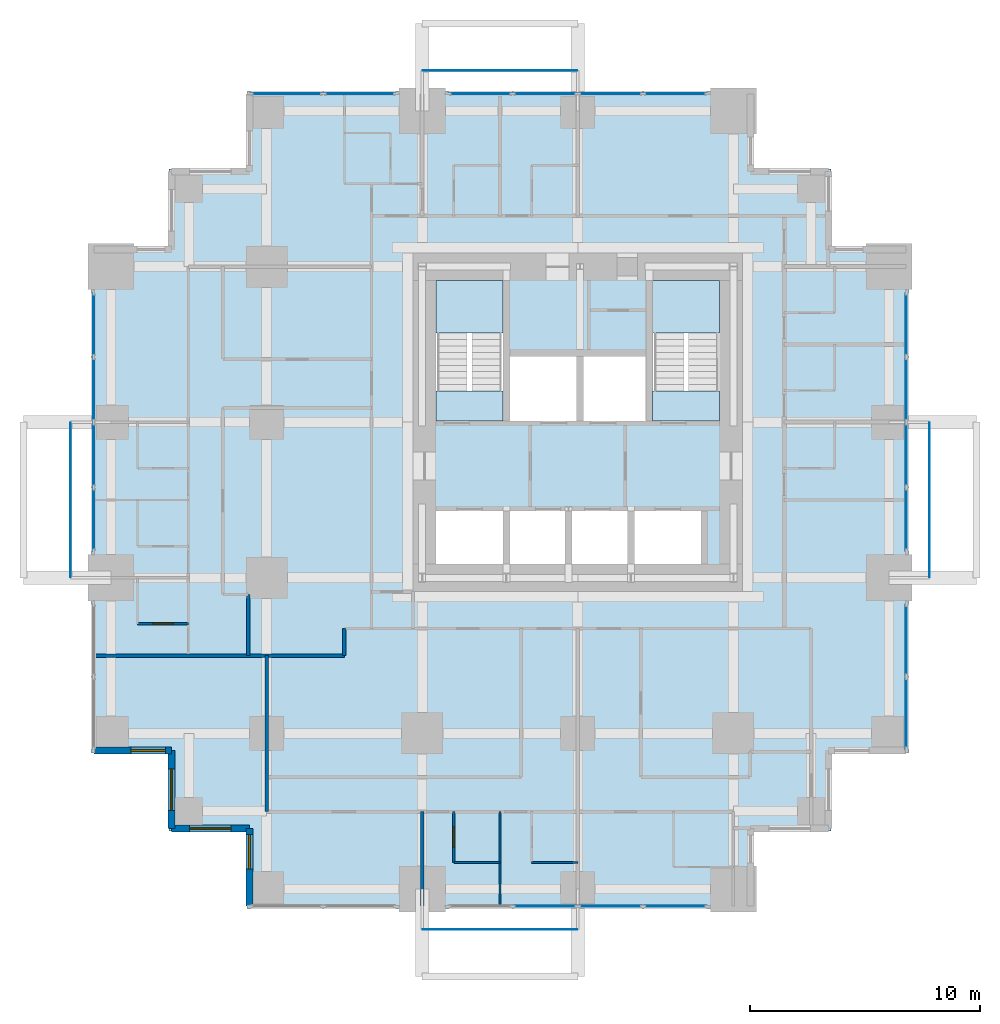
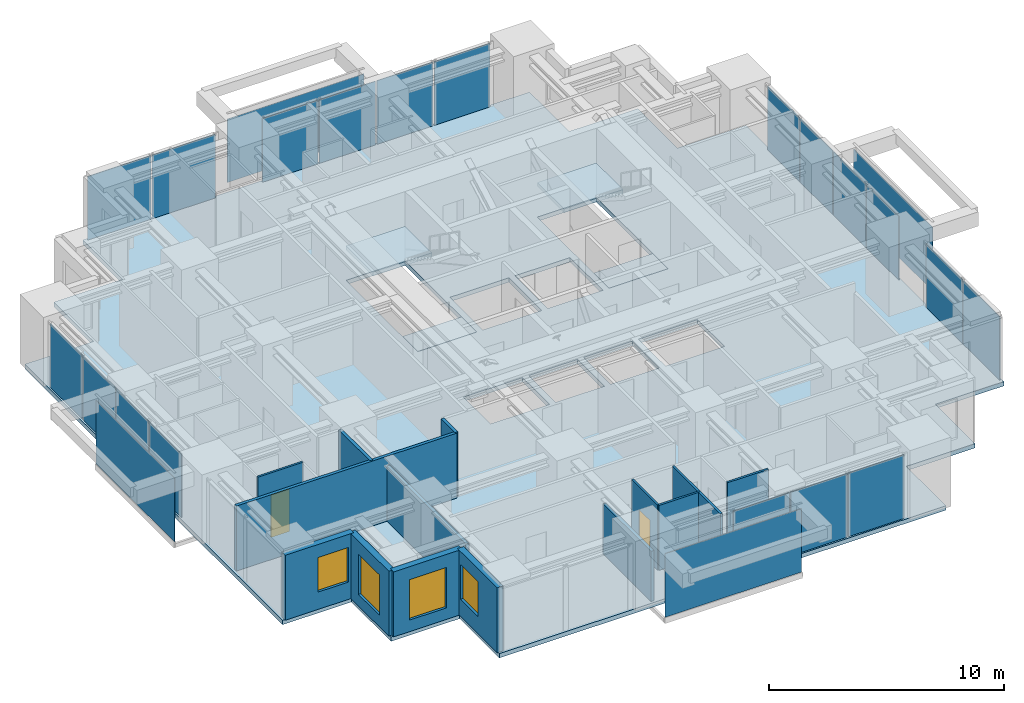
# One storey, part 5 of 10: 23 plates, 14 walls, 5 slabs, 4 windows, 2 doors, 6 openings, 8 elements without a shape of their own.
"""IFC4 building model written with IfcOpenShell, lengths in metres."""

from ifc_helpers import new_model, si_unit, direction, frame, frame_2d, origin, origin_2d, place, context, subcontext, project, spatial, polyline, rectangle, outline, extrude, material, layer, layer_set, type_object, element, fill, aggregate, save


model = new_model("IFC4")

# Units and contexts
model_context = context("Model", 3, precision=1e-05, world=origin(), true_north=direction((0.0, 1.0)))
body_context = subcontext(model_context, "Body", "Model", "MODEL_VIEW")
ifc_project = project(units=[si_unit("LENGTHUNIT", "METRE"), si_unit("AREAUNIT", "SQUARE_METRE"), si_unit("VOLUMEUNIT", "CUBIC_METRE"), si_unit("PLANEANGLEUNIT", "RADIAN"), si_unit("MASSUNIT", "GRAM", prefix="KILO")], contexts=[model_context])

# Site, building, storey
site_placement = place(None, origin())
site = spatial("IfcSite", under=ifc_project, at=site_placement, CompositionType="ELEMENT")
building_placement = place(site_placement, origin())
building = spatial("IfcBuilding", under=site, at=building_placement, Name="Nyansa Garden Tower", CompositionType="ELEMENT")
storey_placement = place(building_placement, frame((0.0, 0.0, 145.800048828125)))
storey = spatial("IfcBuildingStorey", under=building, at=storey_placement, Name="L39", CompositionType="ELEMENT", Elevation=145.800048828125)

# Curtain wall, plates
ifc_material_1 = material(Name="Black anodised aluminium, dark tinted double glazing", Category="aluminium")
curtain_wall_type = type_object("IfcCurtainWallType", Name="Inner skin curtain wall ISW-C", PredefinedType="USERDEFINED", material=ifc_material_1)
curtain_wall_1_placement = place(storey_placement, origin())
curtain_wall_1 = element("IfcCurtainWall", 1, at=curtain_wall_1_placement, inside=storey, type_object=curtain_wall_type, Name="Inner skin curtain wall L39 E", ObjectType="UNITISED CURTAIN WALL", PredefinedType="USERDEFINED")
ifc_material_2 = material(Name="Dark tinted laminated double glazing", Category="glass")
ifc_layer_1 = layer(ifc_material_2, 0.0400390625)
ifc_layer_set_1 = layer_set([ifc_layer_1], Name="Dark tinted vision panel VP-C")
plate_type_1 = type_object("IfcPlateType", Name="Dark tinted vision panel VP-C", PredefinedType="CURTAIN_PANEL", material=ifc_layer_set_1)
plate_1_placement = place(storey_placement, frame((34.5, 7.6201171875, 0.0), z_axis=(0.0, 0.0, 1.0), x_axis=(0.0, 1.0, 0.0)))
plate_1 = element("IfcPlate", 2, at=plate_1_placement, type_object=plate_type_1, Name="ISW-C panel 1", PredefinedType="CURTAIN_PANEL", context=body_context, shape_type="SweptSolid", body=[
    extrude(rectangle(XDim=3.10009765625, YDim=0.0400390625, at=origin_2d()), origin(), (0.0, 0.0, 1.0), 3.304931640625),
])
plate_2_placement = place(storey_placement, frame((34.5, 10.7900390625, 0.0), z_axis=(0.0, 0.0, 1.0), x_axis=(0.0, 1.0, 0.0)))
plate_2 = element("IfcPlate", 3, at=plate_2_placement, type_object=plate_type_1, Name="ISW-C panel 2", PredefinedType="CURTAIN_PANEL", context=body_context, shape_type="SweptSolid", body=[
    extrude(rectangle(XDim=3.10009765625, YDim=0.0400390625, at=origin_2d()), origin(), (0.0, 0.0, 1.0), 3.304931640625),
])
aggregate(curtain_wall_1, [plate_1, plate_2])

curtain_wall_2_placement = place(storey_placement, origin())
curtain_wall_2 = element("IfcCurtainWall", 4, at=curtain_wall_2_placement, inside=storey, type_object=curtain_wall_type, Name="Inner skin curtain wall L39 E", ObjectType="UNITISED CURTAIN WALL", PredefinedType="USERDEFINED")
plate_3_placement = place(storey_placement, frame((34.5, 16.0224609375, 0.0), z_axis=(0.0, 0.0, 1.0), x_axis=(0.0, 1.0, 0.0)))
plate_3 = element("IfcPlate", 5, at=plate_3_placement, type_object=plate_type_1, Name="ISW-C panel 1", PredefinedType="CURTAIN_PANEL", context=body_context, shape_type="SweptSolid", body=[
    extrude(rectangle(XDim=2.72509765625, YDim=0.0400390625, at=origin_2d()), origin(), (0.0, 0.0, 1.0), 3.304931640625),
])
plate_4_placement = place(storey_placement, frame((34.5, 18.8349609375, 0.0), z_axis=(0.0, 0.0, 1.0), x_axis=(0.0, 1.0, 0.0)))
plate_4 = element("IfcPlate", 6, at=plate_4_placement, type_object=plate_type_1, Name="ISW-C panel 2", PredefinedType="CURTAIN_PANEL", context=body_context, shape_type="SweptSolid", body=[
    extrude(rectangle(XDim=2.760009765625, YDim=0.0400390625, at=origin_2d()), origin(), (0.0, 0.0, 1.0), 3.304931640625),
])
plate_5_placement = place(storey_placement, frame((34.5, 21.6650390625, 0.0), z_axis=(0.0, 0.0, 1.0), x_axis=(0.0, 1.0, 0.0)))
plate_5 = element("IfcPlate", 7, at=plate_5_placement, type_object=plate_type_1, Name="ISW-C panel 3", PredefinedType="CURTAIN_PANEL", context=body_context, shape_type="SweptSolid", body=[
    extrude(rectangle(XDim=2.760009765625, YDim=0.0400390625, at=origin_2d()), origin(), (0.0, 0.0, 1.0), 3.304931640625),
])
plate_6_placement = place(storey_placement, frame((34.5, 24.4775390625, 0.0), z_axis=(0.0, 0.0, 1.0), x_axis=(0.0, 1.0, 0.0)))
plate_6 = element("IfcPlate", 8, at=plate_6_placement, type_object=plate_type_1, Name="ISW-C panel 4", PredefinedType="CURTAIN_PANEL", context=body_context, shape_type="SweptSolid", body=[
    extrude(rectangle(XDim=2.72509765625, YDim=0.0400390625, at=origin_2d()), origin(), (0.0, 0.0, 1.0), 3.304931640625),
])
aggregate(curtain_wall_2, [plate_3, plate_4, plate_5, plate_6])

curtain_wall_3_placement = place(storey_placement, origin())
curtain_wall_3 = element("IfcCurtainWall", 9, at=curtain_wall_3_placement, inside=storey, type_object=curtain_wall_type, Name="Inner skin curtain wall L39 N", ObjectType="UNITISED CURTAIN WALL", PredefinedType="USERDEFINED")
plate_7_placement = place(storey_placement, frame((24.4775390625, 34.5, 0.0), z_axis=(0.0, 0.0, 1.0), x_axis=(-1.0, 0.0, 0.0)))
plate_7 = element("IfcPlate", 10, at=plate_7_placement, type_object=plate_type_1, Name="ISW-C panel 1", PredefinedType="CURTAIN_PANEL", context=body_context, shape_type="SweptSolid", body=[
    extrude(rectangle(XDim=2.72509765625, YDim=0.0400390625, at=origin_2d()), origin(), (0.0, 0.0, 1.0), 3.304931640625),
])
plate_8_placement = place(storey_placement, frame((21.6650390625, 34.5, 0.0), z_axis=(0.0, 0.0, 1.0), x_axis=(-1.0, 0.0, 0.0)))
plate_8 = element("IfcPlate", 11, at=plate_8_placement, type_object=plate_type_1, Name="ISW-C panel 2", PredefinedType="CURTAIN_PANEL", context=body_context, shape_type="SweptSolid", body=[
    extrude(rectangle(XDim=2.760009765625, YDim=0.0400390625, at=origin_2d()), origin(), (0.0, 0.0, 1.0), 3.304931640625),
])
plate_9_placement = place(storey_placement, frame((18.8349609375, 34.5, 0.0), z_axis=(0.0, 0.0, 1.0), x_axis=(-1.0, 0.0, 0.0)))
plate_9 = element("IfcPlate", 12, at=plate_9_placement, type_object=plate_type_1, Name="ISW-C panel 3", PredefinedType="CURTAIN_PANEL", context=body_context, shape_type="SweptSolid", body=[
    extrude(rectangle(XDim=2.760009765625, YDim=0.0400390625, at=origin_2d()), origin(), (0.0, 0.0, 1.0), 3.304931640625),
])
plate_10_placement = place(storey_placement, frame((16.0224609375, 34.5, 0.0), z_axis=(0.0, 0.0, 1.0), x_axis=(-1.0, 0.0, 0.0)))
plate_10 = element("IfcPlate", 13, at=plate_10_placement, type_object=plate_type_1, Name="ISW-C panel 4", PredefinedType="CURTAIN_PANEL", context=body_context, shape_type="SweptSolid", body=[
    extrude(rectangle(XDim=2.72509765625, YDim=0.0400390625, at=origin_2d()), origin(), (0.0, 0.0, 1.0), 3.304931640625),
])
aggregate(curtain_wall_3, [plate_7, plate_8, plate_9, plate_10])

curtain_wall_4_placement = place(storey_placement, origin())
curtain_wall_4 = element("IfcCurtainWall", 14, at=curtain_wall_4_placement, inside=storey, type_object=curtain_wall_type, Name="Inner skin curtain wall L39 N", ObjectType="UNITISED CURTAIN WALL", PredefinedType="USERDEFINED")
plate_11_placement = place(storey_placement, frame((10.7900390625, 34.5, 0.0), z_axis=(0.0, 0.0, 1.0), x_axis=(-1.0, 0.0, 0.0)))
plate_11 = element("IfcPlate", 15, at=plate_11_placement, type_object=plate_type_1, Name="ISW-C panel 1", PredefinedType="CURTAIN_PANEL", context=body_context, shape_type="SweptSolid", body=[
    extrude(rectangle(XDim=3.10009765625, YDim=0.0400390625, at=origin_2d()), origin(), (0.0, 0.0, 1.0), 3.304931640625),
])
plate_12_placement = place(storey_placement, frame((7.6201171875, 34.5, 0.0), z_axis=(0.0, 0.0, 1.0), x_axis=(-1.0, 0.0, 0.0)))
plate_12 = element("IfcPlate", 16, at=plate_12_placement, type_object=plate_type_1, Name="ISW-C panel 2", PredefinedType="CURTAIN_PANEL", context=body_context, shape_type="SweptSolid", body=[
    extrude(rectangle(XDim=3.10009765625, YDim=0.0400390625, at=origin_2d()), origin(), (0.0, 0.0, 1.0), 3.304931640625),
])
aggregate(curtain_wall_4, [plate_11, plate_12])

curtain_wall_5_placement = place(storey_placement, origin())
curtain_wall_5 = element("IfcCurtainWall", 17, at=curtain_wall_5_placement, inside=storey, type_object=curtain_wall_type, Name="Inner skin curtain wall L39 W", ObjectType="UNITISED CURTAIN WALL", PredefinedType="USERDEFINED")
plate_13_placement = place(storey_placement, frame((-0.75, 24.4775390625, 0.0), z_axis=(0.0, 0.0, 1.0), x_axis=(0.0, -1.0, 0.0)))
plate_13 = element("IfcPlate", 18, at=plate_13_placement, type_object=plate_type_1, Name="ISW-C panel 1", PredefinedType="CURTAIN_PANEL", context=body_context, shape_type="SweptSolid", body=[
    extrude(rectangle(XDim=2.72509765625, YDim=0.0400390625, at=origin_2d()), origin(), (0.0, 0.0, 1.0), 3.304931640625),
])
plate_14_placement = place(storey_placement, frame((-0.75, 21.6650390625, 0.0), z_axis=(0.0, 0.0, 1.0), x_axis=(0.0, -1.0, 0.0)))
plate_14 = element("IfcPlate", 19, at=plate_14_placement, type_object=plate_type_1, Name="ISW-C panel 2", PredefinedType="CURTAIN_PANEL", context=body_context, shape_type="SweptSolid", body=[
    extrude(rectangle(XDim=2.760009765625, YDim=0.0400390625, at=origin_2d()), origin(), (0.0, 0.0, 1.0), 3.304931640625),
])
plate_15_placement = place(storey_placement, frame((-0.75, 18.8349609375, 0.0), z_axis=(0.0, 0.0, 1.0), x_axis=(0.0, -1.0, 0.0)))
plate_15 = element("IfcPlate", 20, at=plate_15_placement, type_object=plate_type_1, Name="ISW-C panel 3", PredefinedType="CURTAIN_PANEL", context=body_context, shape_type="SweptSolid", body=[
    extrude(rectangle(XDim=2.760009765625, YDim=0.0400390625, at=origin_2d()), origin(), (0.0, 0.0, 1.0), 3.304931640625),
])
plate_16_placement = place(storey_placement, frame((-0.75, 16.0224609375, 0.0), z_axis=(0.0, 0.0, 1.0), x_axis=(0.0, -1.0, 0.0)))
plate_16 = element("IfcPlate", 21, at=plate_16_placement, type_object=plate_type_1, Name="ISW-C panel 4", PredefinedType="CURTAIN_PANEL", context=body_context, shape_type="SweptSolid", body=[
    extrude(rectangle(XDim=2.72509765625, YDim=0.0400390625, at=origin_2d()), origin(), (0.0, 0.0, 1.0), 3.304931640625),
])
aggregate(curtain_wall_5, [plate_13, plate_14, plate_15, plate_16])

curtain_wall_6_placement = place(storey_placement, origin())
curtain_wall_6 = element("IfcCurtainWall", 22, at=curtain_wall_6_placement, inside=storey, type_object=curtain_wall_type, Name="Inner skin curtain wall L39 S", ObjectType="UNITISED CURTAIN WALL", PredefinedType="USERDEFINED")
plate_17_placement = place(storey_placement, frame((18.8349609375, -0.75, 0.0), z_axis=(0.0, 0.0, 1.0), x_axis=(1.0, 0.0, 0.0)))
plate_17 = element("IfcPlate", 23, at=plate_17_placement, type_object=plate_type_1, Name="ISW-C panel 2", PredefinedType="CURTAIN_PANEL", context=body_context, shape_type="SweptSolid", body=[
    extrude(rectangle(XDim=2.760009765625, YDim=0.0400390625, at=origin_2d()), origin(), (0.0, 0.0, 1.0), 3.304931640625),
])
plate_18_placement = place(storey_placement, frame((21.6650390625, -0.75, 0.0), z_axis=(0.0, 0.0, 1.0), x_axis=(1.0, 0.0, 0.0)))
plate_18 = element("IfcPlate", 24, at=plate_18_placement, type_object=plate_type_1, Name="ISW-C panel 3", PredefinedType="CURTAIN_PANEL", context=body_context, shape_type="SweptSolid", body=[
    extrude(rectangle(XDim=2.760009765625, YDim=0.0400390625, at=origin_2d()), origin(), (0.0, 0.0, 1.0), 3.304931640625),
])
plate_19_placement = place(storey_placement, frame((24.4775390625, -0.75, 0.0), z_axis=(0.0, 0.0, 1.0), x_axis=(1.0, 0.0, 0.0)))
plate_19 = element("IfcPlate", 25, at=plate_19_placement, type_object=plate_type_1, Name="ISW-C panel 4", PredefinedType="CURTAIN_PANEL", context=body_context, shape_type="SweptSolid", body=[
    extrude(rectangle(XDim=2.72509765625, YDim=0.0400390625, at=origin_2d()), origin(), (0.0, 0.0, 1.0), 3.304931640625),
])
aggregate(curtain_wall_6, [plate_17, plate_18, plate_19])

# Slab
ifc_material_3 = material(Name="Concrete C40/50", Category="concrete")
ifc_layer_2 = layer(ifc_material_3, 0.22509765625)
ifc_layer_set_2 = layer_set([ifc_layer_2], Name="Floor slab FS225")
slab_type_1 = type_object("IfcSlabType", Name="Floor slab FS225", PredefinedType="FLOOR", material=ifc_layer_set_2)
slab_1_placement = place(storey_placement, frame((0.0, 0.0, -0.22509765625)))
element("IfcSlab", 26, at=slab_1_placement, inside=storey, type_object=slab_type_1, Name="Floor slab L39", PredefinedType="FLOOR", context=body_context, shape_type="SweptSolid", body=[
    extrude(outline(polyline([(34.60009765625, 5.89990234375), (31.22509765625, 5.89990234375), (31.22509765625, 2.52490234375), (27.85009765625, 2.52490234375), (27.85009765625, -0.85009765625), (5.89990234375, -0.85009765625), (5.89990234375, 2.52490234375), (2.52490234375, 2.52490234375), (2.52490234375, 5.89990234375), (-0.85009765625, 5.89990234375), (-0.85009765625, 27.85009765625), (2.52490234375, 27.85009765625), (2.52490234375, 31.22509765625), (5.89990234375, 31.22509765625), (5.89990234375, 34.60009765625), (27.85009765625, 34.60009765625), (27.85009765625, 31.22509765625), (31.22509765625, 31.22509765625), (31.22509765625, 27.85009765625), (34.60009765625, 27.85009765625), (34.60009765625, 5.89990234375)]), holes=[polyline([(14.10009765625, 14.10009765625), (17.0, 14.10009765625), (17.0, 16.39990234375), (14.10009765625, 16.39990234375), (14.10009765625, 14.10009765625)]), polyline([(17.300048828125, 14.10009765625), (19.699951171875, 14.10009765625), (19.699951171875, 16.39990234375), (17.300048828125, 16.39990234375), (17.300048828125, 14.10009765625)]), polyline([(20.0, 14.10009765625), (22.39990234375, 14.10009765625), (22.39990234375, 16.39990234375), (20.0, 16.39990234375), (20.0, 14.10009765625)]), polyline([(22.699951171875, 14.10009765625), (25.60009765625, 14.10009765625), (25.60009765625, 16.39990234375), (22.699951171875, 16.39990234375), (22.699951171875, 14.10009765625)]), polyline([(17.300048828125, 20.300048828125), (20.199951171875, 20.300048828125), (20.199951171875, 23.10009765625), (17.300048828125, 23.10009765625), (17.300048828125, 20.300048828125)]), polyline([(20.5, 20.300048828125), (23.199951171875, 20.300048828125), (23.199951171875, 23.10009765625), (20.5, 23.10009765625), (20.5, 20.300048828125)]), polyline([(14.10009765625, 20.300048828125), (17.0, 20.300048828125), (17.0, 26.39990234375), (14.10009765625, 26.39990234375), (14.10009765625, 20.300048828125)]), polyline([(23.5, 20.300048828125), (26.39990234375, 20.300048828125), (26.39990234375, 26.39990234375), (23.5, 26.39990234375), (23.5, 20.300048828125)])]), origin(), (0.0, 0.0, 1.0), 0.22509765625),
])

# Plates
ifc_material_4 = material(Name="Dark tinted laminated glass", Category="glass")
ifc_layer_3 = layer(ifc_material_4, 0.02392578125)
ifc_layer_set_3 = layer_set([ifc_layer_3], Name="Outer skin glass panel OS1")
plate_type_2 = type_object("IfcPlateType", Name="Outer skin glass panel OS1", PredefinedType="USERDEFINED", material=ifc_layer_set_3)
for number, where, z_axis, x_axis, name in (
    (27, (35.5, 16.875, -0.22509765625), (0.0, 0.0, 1.0), (0.0, 1.0, 0.0), "Outer skin glass panel L39"),
    (28, (16.875, 35.5, -0.22509765625), (0.0, 0.0, 1.0), (1.0, 0.0, 0.0), "Outer skin glass panel L39"),
    (29, (-1.75, 16.875, -0.22509765625), (0.0, 0.0, 1.0), (0.0, 1.0, 0.0), "Outer skin glass panel L39"),
    (30, (16.875, -1.75, -0.22509765625), (0.0, 0.0, 1.0), (1.0, 0.0, 0.0), "Outer skin glass panel L39"),
):
    element("IfcPlate", number, at=place(storey_placement, frame(where, z_axis=z_axis, x_axis=x_axis)), inside=storey, type_object=plate_type_2, Name=name, ObjectType="OUTER SKIN GLASS", PredefinedType="USERDEFINED", context=body_context, shape_type="SweptSolid", body=[
        extrude(rectangle(XDim=6.7099609375, YDim=0.02392578125, at=origin_2d()), origin(), (0.0, 0.0, 1.0), 3.300048828125),
    ])

# Stair, slabs
ifc_material_5 = material(Name="Precast concrete C40/50", Category="concrete")
stair_type_1 = type_object("IfcStairType", Name="Stair S1 180x280", PredefinedType="HALF_TURN_STAIR", material=ifc_material_5)
stair_1_placement = place(storey_placement, origin())
stair_1 = element("IfcStair", 31, at=stair_1_placement, inside=storey, type_object=stair_type_1, Name="Stair S1 L39", PredefinedType="HALF_TURN_STAIR")
ifc_material_6 = material(Name="Concrete C40/50", Category="concrete")
ifc_layer_4 = layer(ifc_material_6, 0.199951171875)
ifc_layer_set_4 = layer_set([ifc_layer_4], Name="Stair landing SL200")
slab_type_2 = type_object("IfcSlabType", Name="Stair landing SL200", PredefinedType="LANDING", material=ifc_layer_set_4)
slab_2_placement = place(storey_placement, frame((0.0, 0.0, -0.199951171875)))
slab_2 = element("IfcSlab", 32, at=slab_2_placement, type_object=slab_type_2, Name="S1 landing 1", PredefinedType="LANDING", context=body_context, shape_type="SweptSolid", body=[
    extrude(outline(polyline([(14.10009765625, 20.300048828125), (17.0, 20.300048828125), (17.0, 21.60009765625), (14.10009765625, 21.60009765625), (14.10009765625, 20.300048828125)])), origin(), (0.0, 0.0, 1.0), 0.199951171875),
])
slab_3_placement = place(storey_placement, frame((0.0, 0.0, 1.599853515625)))
slab_3 = element("IfcSlab", 33, at=slab_3_placement, type_object=slab_type_2, Name="S1 landing 2", PredefinedType="LANDING", context=body_context, shape_type="SweptSolid", body=[
    extrude(outline(polyline([(14.10009765625, 24.1201171875), (17.0, 24.1201171875), (17.0, 26.39990234375), (14.10009765625, 26.39990234375), (14.10009765625, 24.1201171875)])), origin(), (0.0, 0.0, 1.0), 0.2001953125),
])
aggregate(stair_1, [slab_2, slab_3])

ifc_material_7 = material(Name="Precast concrete C40/50", Category="concrete")
stair_type_2 = type_object("IfcStairType", Name="Stair S2 180x280", PredefinedType="HALF_TURN_STAIR", material=ifc_material_7)
stair_2_placement = place(storey_placement, origin())
stair_2 = element("IfcStair", 34, at=stair_2_placement, inside=storey, type_object=stair_type_2, Name="Stair S2 L39", PredefinedType="HALF_TURN_STAIR")
slab_4_placement = place(storey_placement, frame((0.0, 0.0, -0.199951171875)))
slab_4 = element("IfcSlab", 35, at=slab_4_placement, type_object=slab_type_2, Name="S2 landing 1", PredefinedType="LANDING", context=body_context, shape_type="SweptSolid", body=[
    extrude(outline(polyline([(23.5, 20.300048828125), (26.39990234375, 20.300048828125), (26.39990234375, 21.60009765625), (23.5, 21.60009765625), (23.5, 20.300048828125)])), origin(), (0.0, 0.0, 1.0), 0.199951171875),
])
slab_5_placement = place(storey_placement, frame((0.0, 0.0, 1.599853515625)))
slab_5 = element("IfcSlab", 36, at=slab_5_placement, type_object=slab_type_2, Name="S2 landing 2", PredefinedType="LANDING", context=body_context, shape_type="SweptSolid", body=[
    extrude(outline(polyline([(23.5, 24.1201171875), (26.39990234375, 24.1201171875), (26.39990234375, 26.39990234375), (23.5, 26.39990234375), (23.5, 24.1201171875)])), origin(), (0.0, 0.0, 1.0), 0.2001953125),
])
aggregate(stair_2, [slab_4, slab_5])

# Walls
ifc_material_8 = material(Name="Blockwork, plastered both sides", Category="masonry")
ifc_layer_5 = layer(ifc_material_8, 0.14990234375)
ifc_layer_set_5 = layer_set([ifc_layer_5], Name="Partition PW150")
wall_type_1 = type_object("IfcWallType", Name="Partition PW150", PredefinedType="PARTITIONING", material=ifc_layer_set_5)
wall_1_placement = place(storey_placement, frame((-0.73388671875, 10.125, 0.0), z_axis=(0.0, 0.0, 1.0), x_axis=(1.0, 0.0, 0.0)))
element("IfcWall", 37, at=wall_1_placement, inside=storey, type_object=wall_type_1, Name="Partition", PredefinedType="PARTITIONING", context=body_context, shape_type="SweptSolid", body=[
    extrude(rectangle(XDim=10.85888671875, YDim=0.14990234375, at=frame_2d((5.429443359375, 0.0))), origin(), (0.0, 0.0, 1.0), 3.375),
])
wall_2_placement = place(storey_placement, frame((5.949951171875, 10.125, 0.0), z_axis=(0.0, 0.0, 1.0), x_axis=(0.0, 1.0, 0.0)))
element("IfcWall", 38, at=wall_2_placement, inside=storey, type_object=wall_type_1, Name="Partition", PredefinedType="PARTITIONING", context=body_context, shape_type="SweptSolid", body=[
    extrude(rectangle(XDim=2.64990234375, YDim=0.14990234375, at=frame_2d((1.324951171875, 0.0))), origin(), (0.0, 0.0, 1.0), 3.375),
])
wall_3_placement = place(storey_placement, frame((6.75, 3.35009765625, 0.0), z_axis=(0.0, 0.0, 1.0), x_axis=(0.0, 1.0, 0.0)))
element("IfcWall", 39, at=wall_3_placement, inside=storey, type_object=wall_type_1, Name="Partition", PredefinedType="PARTITIONING", context=body_context, shape_type="SweptSolid", body=[
    extrude(rectangle(XDim=6.77490234375, YDim=0.14990234375, at=frame_2d((3.387451171875, 0.0))), origin(), (0.0, 0.0, 1.0), 2.876953125),
])
wall_4_placement = place(storey_placement, frame((10.125, 10.125, 0.0), z_axis=(0.0, 0.0, 1.0), x_axis=(0.0, 1.0, 0.0)))
element("IfcWall", 40, at=wall_4_placement, inside=storey, type_object=wall_type_1, Name="Partition", PredefinedType="PARTITIONING", context=body_context, shape_type="SweptSolid", body=[
    extrude(rectangle(XDim=1.175048828125, YDim=0.14990234375, at=frame_2d((0.58740234375, 0.0))), origin(), (0.0, 0.0, 1.0), 3.375),
])
wall_5_placement = place(storey_placement, frame((13.5, -0.73388671875, 0.0), z_axis=(0.0, 0.0, 1.0), x_axis=(0.0, 1.0, 0.0)))
element("IfcWall", 41, at=wall_5_placement, inside=storey, type_object=wall_type_1, Name="Partition", PredefinedType="PARTITIONING", context=body_context, shape_type="SweptSolid", body=[
    extrude(rectangle(XDim=4.083984375, YDim=0.14990234375, at=frame_2d((2.0419921875, 0.0))), origin(), (0.0, 0.0, 1.0), 2.60986328125),
])

# Wall, opening, window
ifc_material_9 = material(Name="Turquoise glazed tile on concrete blockwork", Category="masonry")
ifc_layer_6 = layer(ifc_material_9, 0.300048828125)
ifc_layer_set_6 = layer_set([ifc_layer_6], Name="Tiled corner wall TW300")
wall_type_2 = type_object("IfcWallType", Name="Tiled corner wall TW300", PredefinedType="SOLIDWALL", material=ifc_layer_set_6)
wall_6_placement = place(storey_placement, frame((-0.75, 6.0, 0.0), z_axis=(0.0, 0.0, 1.0), x_axis=(1.0, 0.0, 0.0)))
wall_6 = element("IfcWall", 42, at=wall_6_placement, inside=storey, type_object=wall_type_2, Name="Tiled corner wall L39", PredefinedType="SOLIDWALL", context=body_context, shape_type="SweptSolid", body=[
    extrude(rectangle(XDim=3.375, YDim=0.300048828125, at=frame_2d((1.6875, 0.0))), origin(), (0.0, 0.0, 1.0), 3.375),
])
opening_1_placement = place(wall_6_placement, frame((1.607421875, 0.0, 0.89990234375)))
opening_1 = element("IfcOpeningElement", 43, at=opening_1_placement, cuts=wall_6, Name="Opening W1", PredefinedType="OPENING", context=body_context, shape_type="SweptSolid", body=[
    extrude(rectangle(XDim=1.5, YDim=1.800048828125, at=frame_2d((0.75, 0.89990234375))), frame((0.0, 0.159912109375, 0.0), z_axis=(0.0, -1.0, 0.0), x_axis=(1.0, 0.0, 0.0)), (0.0, 0.0, 1.0), 0.320068359375),
])
ifc_material_10 = material(Name="Black aluminium frame, dark tinted double glazing", Category="aluminium")
window_type_1 = type_object("IfcWindowType", Name="Window W1 1500x1800", PartitioningType="SINGLE_PANEL", PredefinedType="WINDOW", material=ifc_material_10)
window_1_placement = place(opening_1_placement, origin())
window_1 = element("IfcWindow", 44, at=window_1_placement, inside=storey, type_object=window_type_1, Name="Corner window L39", OverallHeight=1.800048828125, OverallWidth=1.5, PartitioningType="SINGLE_PANEL", PredefinedType="WINDOW", context=body_context, shape_type="SweptSolid", body=[
    extrude(rectangle(XDim=1.5, YDim=1.800048828125, at=frame_2d((0.75, 0.89990234375))), frame((0.0, 0.030029296875, 0.0), z_axis=(0.0, -1.0, 0.0), x_axis=(1.0, 0.0, 0.0)), (0.0, 0.0, 1.0), 0.06005859375),
])
fill(opening_1, window_1)

wall_7_placement = place(storey_placement, frame((2.625, 6.0, 0.0), z_axis=(0.0, 0.0, 1.0), x_axis=(0.0, -1.0, 0.0)))
wall_7 = element("IfcWall", 45, at=wall_7_placement, inside=storey, type_object=wall_type_2, Name="Tiled corner wall L39", PredefinedType="SOLIDWALL", context=body_context, shape_type="SweptSolid", body=[
    extrude(rectangle(XDim=3.375, YDim=0.300048828125, at=frame_2d((1.6875, 0.0))), origin(), (0.0, 0.0, 1.0), 3.375),
])
opening_2_placement = place(wall_7_placement, frame((0.78759765625, 0.0, 0.60009765625)))
opening_2 = element("IfcOpeningElement", 46, at=opening_2_placement, cuts=wall_7, Name="Opening W2", PredefinedType="OPENING", context=body_context, shape_type="SweptSolid", body=[
    extrude(rectangle(XDim=1.800048828125, YDim=2.10009765625, at=frame_2d((0.89990234375, 1.050048828125))), frame((0.0, 0.159912109375, 0.0), z_axis=(0.0, -1.0, 0.0), x_axis=(1.0, 0.0, 0.0)), (0.0, 0.0, 1.0), 0.320068359375),
])
ifc_material_11 = material(Name="Black aluminium frame, dark tinted double glazing", Category="aluminium")
window_type_2 = type_object("IfcWindowType", Name="Window W2 1800x2100", PartitioningType="SINGLE_PANEL", PredefinedType="WINDOW", material=ifc_material_11)
window_2_placement = place(opening_2_placement, origin())
window_2 = element("IfcWindow", 47, at=window_2_placement, inside=storey, type_object=window_type_2, Name="Corner window L39", OverallHeight=2.10009765625, OverallWidth=1.800048828125, PartitioningType="SINGLE_PANEL", PredefinedType="WINDOW", context=body_context, shape_type="SweptSolid", body=[
    extrude(rectangle(XDim=1.800048828125, YDim=2.10009765625, at=frame_2d((0.89990234375, 1.050048828125))), frame((0.0, 0.030029296875, 0.0), z_axis=(0.0, -1.0, 0.0), x_axis=(1.0, 0.0, 0.0)), (0.0, 0.0, 1.0), 0.06005859375),
])
fill(opening_2, window_2)

wall_8_placement = place(storey_placement, frame((2.625, 2.625, 0.0), z_axis=(0.0, 0.0, 1.0), x_axis=(1.0, 0.0, 0.0)))
wall_8 = element("IfcWall", 48, at=wall_8_placement, inside=storey, type_object=wall_type_2, Name="Tiled corner wall L39", PredefinedType="SOLIDWALL", context=body_context, shape_type="SweptSolid", body=[
    extrude(rectangle(XDim=3.375, YDim=0.300048828125, at=frame_2d((1.6875, 0.0))), origin(), (0.0, 0.0, 1.0), 3.375),
])
opening_3_placement = place(wall_8_placement, frame((0.78759765625, 0.0, 0.60009765625)))
opening_3 = element("IfcOpeningElement", 49, at=opening_3_placement, cuts=wall_8, Name="Opening W2", PredefinedType="OPENING", context=body_context, shape_type="SweptSolid", body=[
    extrude(rectangle(XDim=1.800048828125, YDim=2.10009765625, at=frame_2d((0.89990234375, 1.050048828125))), frame((0.0, 0.159912109375, 0.0), z_axis=(0.0, -1.0, 0.0), x_axis=(1.0, 0.0, 0.0)), (0.0, 0.0, 1.0), 0.320068359375),
])
window_3_placement = place(opening_3_placement, origin())
window_3 = element("IfcWindow", 50, at=window_3_placement, inside=storey, type_object=window_type_2, Name="Corner window L39", OverallHeight=2.10009765625, OverallWidth=1.800048828125, PartitioningType="SINGLE_PANEL", PredefinedType="WINDOW", context=body_context, shape_type="SweptSolid", body=[
    extrude(rectangle(XDim=1.800048828125, YDim=2.10009765625, at=frame_2d((0.89990234375, 1.050048828125))), frame((0.0, 0.030029296875, 0.0), z_axis=(0.0, -1.0, 0.0), x_axis=(1.0, 0.0, 0.0)), (0.0, 0.0, 1.0), 0.06005859375),
])
fill(opening_3, window_3)

wall_9_placement = place(storey_placement, frame((6.0, 2.625, 0.0), z_axis=(0.0, 0.0, 1.0), x_axis=(0.0, -1.0, 0.0)))
wall_9 = element("IfcWall", 51, at=wall_9_placement, inside=storey, type_object=wall_type_2, Name="Tiled corner wall L39", PredefinedType="SOLIDWALL", context=body_context, shape_type="SweptSolid", body=[
    extrude(rectangle(XDim=3.375, YDim=0.300048828125, at=frame_2d((1.6875, 0.0))), origin(), (0.0, 0.0, 1.0), 3.375),
])
opening_4_placement = place(wall_9_placement, frame((0.267578125, 0.0, 0.89990234375)))
opening_4 = element("IfcOpeningElement", 52, at=opening_4_placement, cuts=wall_9, Name="Opening W1", PredefinedType="OPENING", context=body_context, shape_type="SweptSolid", body=[
    extrude(rectangle(XDim=1.5, YDim=1.800048828125, at=frame_2d((0.75, 0.89990234375))), frame((0.0, 0.159912109375, 0.0), z_axis=(0.0, -1.0, 0.0), x_axis=(1.0, 0.0, 0.0)), (0.0, 0.0, 1.0), 0.320068359375),
])
window_4_placement = place(opening_4_placement, origin())
window_4 = element("IfcWindow", 53, at=window_4_placement, inside=storey, type_object=window_type_1, Name="Corner window L39", OverallHeight=1.800048828125, OverallWidth=1.5, PartitioningType="SINGLE_PANEL", PredefinedType="WINDOW", context=body_context, shape_type="SweptSolid", body=[
    extrude(rectangle(XDim=1.5, YDim=1.800048828125, at=frame_2d((0.75, 0.89990234375))), frame((0.0, 0.030029296875, 0.0), z_axis=(0.0, -1.0, 0.0), x_axis=(1.0, 0.0, 0.0)), (0.0, 0.0, 1.0), 0.06005859375),
])
fill(opening_4, window_4)

# Wall, opening, door
ifc_material_12 = material(Name="Moisture resistant board on steel studs, tiled", Category="steel")
ifc_layer_7 = layer(ifc_material_12, 0.10009765625)
ifc_layer_set_7 = layer_set([ifc_layer_7], Name="Wet wall PW100")
wall_type_3 = type_object("IfcWallType", Name="Wet wall PW100", PredefinedType="PARTITIONING", material=ifc_layer_set_7)
wall_10_placement = place(storey_placement, frame((1.14990234375, 11.5, 0.0), z_axis=(0.0, 0.0, 1.0), x_axis=(1.0, 0.0, 0.0)))
wall_10 = element("IfcWall", 54, at=wall_10_placement, inside=storey, type_object=wall_type_3, Name="Wet wall", PredefinedType="PARTITIONING", context=body_context, shape_type="SweptSolid", body=[
    extrude(rectangle(XDim=2.2001953125, YDim=0.10009765625, at=frame_2d((1.10009765625, 0.0))), origin(), (0.0, 0.0, 1.0), 3.375),
])
opening_5_placement = place(wall_10_placement, frame((0.64990234375, 0.0, 0.0)))
opening_5 = element("IfcOpeningElement", 55, at=opening_5_placement, cuts=wall_10, Name="Opening D02", PredefinedType="OPENING", context=body_context, shape_type="SweptSolid", body=[
    extrude(rectangle(XDim=0.89990234375, YDim=2.199951171875, at=frame_2d((0.449951171875, 1.10009765625))), frame((0.0, 0.06005859375, 0.0), z_axis=(0.0, -1.0, 0.0), x_axis=(1.0, 0.0, 0.0)), (0.0, 0.0, 1.0), 0.1201171875),
])
ifc_material_13 = material(Name="Timber flush door", Category="wood")
door_type = type_object("IfcDoorType", Name="En-suite door D02 900x2200", OperationType="SINGLE_SWING_RIGHT", PredefinedType="DOOR", material=ifc_material_13)
door_1_placement = place(opening_5_placement, origin())
door_1 = element("IfcDoor", 56, at=door_1_placement, inside=storey, type_object=door_type, Name="Door L39-047", OperationType="SINGLE_SWING_RIGHT", OverallHeight=2.199951171875, OverallWidth=0.89990234375, PredefinedType="DOOR", context=body_context, shape_type="SweptSolid", body=[
    extrude(rectangle(XDim=0.89990234375, YDim=2.199951171875, at=frame_2d((0.449951171875, 1.10009765625))), frame((0.0, 0.02490234375, 0.0), z_axis=(0.0, -1.0, 0.0), x_axis=(1.0, 0.0, 0.0)), (0.0, 0.0, 1.0), 0.050048828125),
])
fill(opening_5, door_1)

wall_11_placement = place(storey_placement, frame((14.875, 1.14990234375, 0.0), z_axis=(0.0, 0.0, 1.0), x_axis=(0.0, 1.0, 0.0)))
wall_11 = element("IfcWall", 57, at=wall_11_placement, inside=storey, type_object=wall_type_3, Name="Wet wall", PredefinedType="PARTITIONING", context=body_context, shape_type="SweptSolid", body=[
    extrude(rectangle(XDim=2.2001953125, YDim=0.10009765625, at=frame_2d((1.10009765625, 0.0))), origin(), (0.0, 0.0, 1.0), 3.375),
])
opening_6_placement = place(wall_11_placement, frame((0.64990234375, 0.0, 0.0)))
opening_6 = element("IfcOpeningElement", 58, at=opening_6_placement, cuts=wall_11, Name="Opening D02", PredefinedType="OPENING", context=body_context, shape_type="SweptSolid", body=[
    extrude(rectangle(XDim=0.89990234375, YDim=2.199951171875, at=frame_2d((0.449951171875, 1.10009765625))), frame((0.0, 0.06005859375, 0.0), z_axis=(0.0, -1.0, 0.0), x_axis=(1.0, 0.0, 0.0)), (0.0, 0.0, 1.0), 0.1201171875),
])
door_2_placement = place(opening_6_placement, origin())
door_2 = element("IfcDoor", 59, at=door_2_placement, inside=storey, type_object=door_type, Name="Door L39-020", OperationType="SINGLE_SWING_RIGHT", OverallHeight=2.199951171875, OverallWidth=0.89990234375, PredefinedType="DOOR", context=body_context, shape_type="SweptSolid", body=[
    extrude(rectangle(XDim=0.89990234375, YDim=2.199951171875, at=frame_2d((0.449951171875, 1.10009765625))), frame((0.0, 0.02490234375, 0.0), z_axis=(0.0, -1.0, 0.0), x_axis=(1.0, 0.0, 0.0)), (0.0, 0.0, 1.0), 0.050048828125),
])
fill(opening_6, door_2)

# Walls
wall_12_placement = place(storey_placement, frame((14.875, 1.14990234375, 0.0), z_axis=(0.0, 0.0, 1.0), x_axis=(1.0, 0.0, 0.0)))
element("IfcWall", 60, at=wall_12_placement, inside=storey, type_object=wall_type_3, Name="Wet wall", PredefinedType="PARTITIONING", context=body_context, shape_type="SweptSolid", body=[
    extrude(rectangle(XDim=2.0, YDim=0.10009765625, at=frame_2d((1.0, 0.0))), origin(), (0.0, 0.0, 1.0), 3.375),
])
wall_13_placement = place(storey_placement, frame((16.875, -0.73388671875, 0.0), z_axis=(0.0, 0.0, 1.0), x_axis=(0.0, 1.0, 0.0)))
element("IfcWall", 61, at=wall_13_placement, inside=storey, type_object=wall_type_3, Name="Wet wall", PredefinedType="PARTITIONING", context=body_context, shape_type="SweptSolid", body=[
    extrude(rectangle(XDim=4.083984375, YDim=0.10009765625, at=frame_2d((2.0419921875, 0.0))), origin(), (0.0, 0.0, 1.0), 3.375),
])
wall_14_placement = place(storey_placement, frame((18.25, 1.14990234375, 0.0), z_axis=(0.0, 0.0, 1.0), x_axis=(1.0, 0.0, 0.0)))
element("IfcWall", 62, at=wall_14_placement, inside=storey, type_object=wall_type_3, Name="Wet wall", PredefinedType="PARTITIONING", context=body_context, shape_type="SweptSolid", body=[
    extrude(rectangle(XDim=2.0, YDim=0.10009765625, at=frame_2d((1.0, 0.0))), origin(), (0.0, 0.0, 1.0), 3.375),
])

save(model, "model.ifc")
